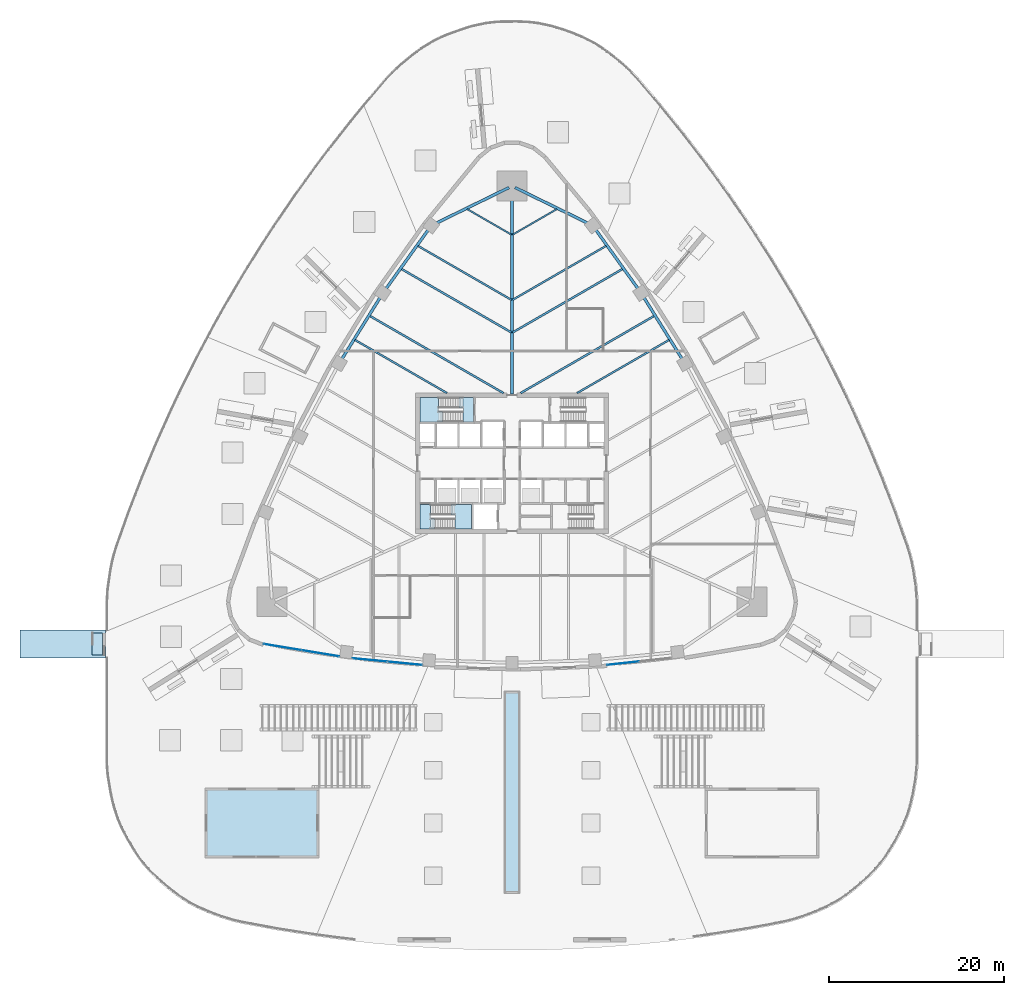
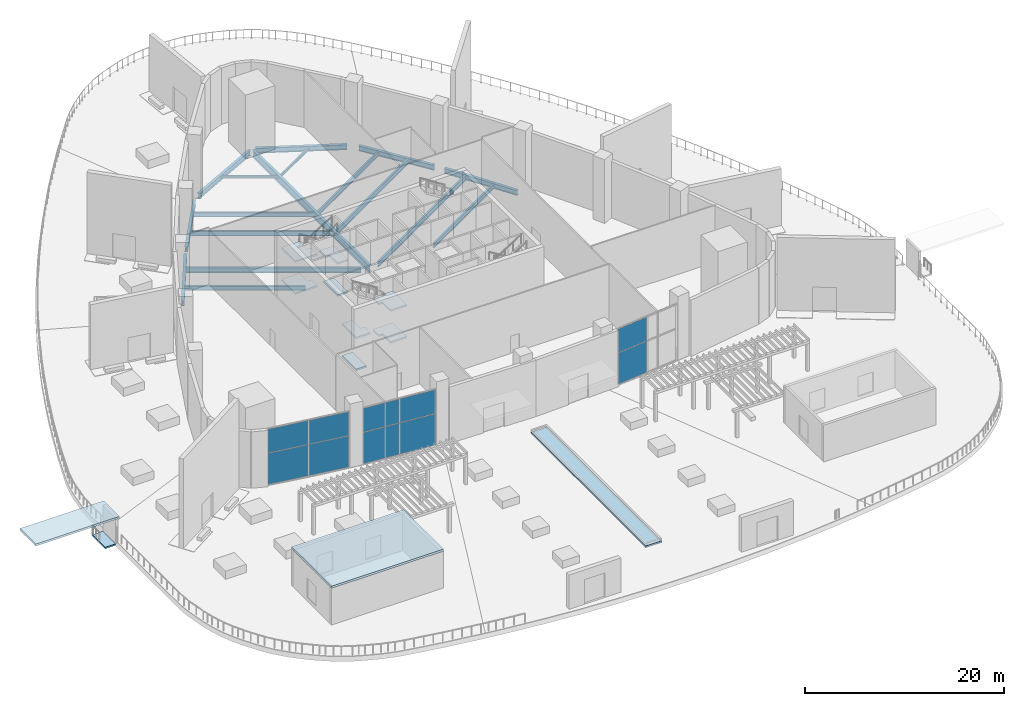
# One storey, part 6 of 20: 17 beams, 12 slabs, 10 plates, 5 elements without a shape of their own.
"""IFC4 building model written with IfcOpenShell, lengths in metres."""

import ifcopenshell
import ifcopenshell.guid

model = None  # the IFC model being written
_history = None  # IfcOwnerHistory: only IFC2X3 demands one
_inside = {}  # id of a spatial element -> (the spatial element, [elements in it])
_under = {}  # id of a project, library or spatial element -> (it, [spatial elements below it])
_declared = {}  # id of a project -> (the project, [libraries it declares])
_typed = {}  # id of a type object -> (the type object, [elements of that type])
_made_of = {}  # id of a material, layer set ... -> (it, [elements and type objects made of it])


def new_model(schema):
    """Start an empty IFC model of exactly this schema.

    Asked for "IFC4X3", IfcOpenShell would pick the latest addendum, in which some entities
    have other attributes; the version numbers below select the first issue.
    IFC2X3 requires an IfcOwnerHistory on every rooted entity: one is made here for all.
    """
    global model, _history
    if schema == "IFC4X3":
        model = ifcopenshell.file(schema_version=(4, 3, 0, 0))
    else:
        model = ifcopenshell.file(schema=schema)
    _inside.clear()
    _under.clear()
    _declared.clear()
    _typed.clear()
    _made_of.clear()
    _history = None
    if model.schema == "IFC2X3":
        org = make("IfcOrganization", Name="unknown")
        user = make(
            "IfcPersonAndOrganization",
            ThePerson=make("IfcPerson", FamilyName="unknown"),
            TheOrganization=org,
        )
        app = make(
            "IfcApplication",
            ApplicationDeveloper=org,
            Version="unknown",
            ApplicationFullName="unknown",
            ApplicationIdentifier="unknown",
        )
        _history = make(
            "IfcOwnerHistory",
            OwningUser=user,
            OwningApplication=app,
            ChangeAction="ADDED",
            CreationDate=0,
        )
    return model


def make(cls, **values):
    """One entity of the class cls with the attributes given. An attribute that is None is left unset."""
    return model.create_entity(
        cls, **{name: value for name, value in values.items() if value is not None}
    )


def rooted(cls, **values):
    """An entity with a GlobalId (a new one), such as an element, a storey or a relation."""
    return make(cls, GlobalId=ifcopenshell.guid.new(), OwnerHistory=_history, **values)


def si_unit(unit_type, name, prefix=None):
    """IfcSIUnit, for example si_unit("LENGTHUNIT", "METRE", prefix="MILLI")."""
    return make("IfcSIUnit", UnitType=unit_type, Prefix=prefix, Name=name)


def assignment(units):
    """IfcUnitAssignment: the units of a project."""
    return None if units is None else make("IfcUnitAssignment", Units=units)


def point(xyz):
    """IfcCartesianPoint."""
    return None if xyz is None else make("IfcCartesianPoint", Coordinates=xyz)


def direction(xyz):
    """IfcDirection."""
    return None if xyz is None else make("IfcDirection", DirectionRatios=xyz)


def frame(location, z_axis=None, x_axis=None):
    """IfcAxis2Placement3D, a coordinate frame: its origin and axes. An axis left out is left unset."""
    return make(
        "IfcAxis2Placement3D",
        Location=point(location),
        Axis=direction(z_axis),
        RefDirection=direction(x_axis),
    )


def frame_2d(location, x_axis=None):
    """IfcAxis2Placement2D, a coordinate frame in the plane: its origin and x axis."""
    return make(
        "IfcAxis2Placement2D", Location=point(location), RefDirection=direction(x_axis)
    )


def origin():
    """The frame at (0, 0, 0) with its axes left unset."""
    return frame((0.0, 0.0, 0.0))


def origin_2d():
    """The frame at (0, 0) in the plane with its x axis left unset."""
    return frame_2d((0.0, 0.0))


def place(relative_to, where):
    """IfcLocalPlacement: puts the frame where relative to a parent placement (None: the world)."""
    return make(
        "IfcLocalPlacement", PlacementRelTo=relative_to, RelativePlacement=where
    )


def context(
    kind, dimensions, precision=None, world=None, true_north=None, identifier=None
):
    """IfcGeometricRepresentationContext, for example the 3D "Model" context."""
    return make(
        "IfcGeometricRepresentationContext",
        ContextIdentifier=identifier,
        ContextType=kind,
        CoordinateSpaceDimension=dimensions,
        Precision=precision,
        WorldCoordinateSystem=world,
        TrueNorth=true_north,
    )


def subcontext(parent, identifier, kind, view, scale=None):
    """IfcGeometricRepresentationSubContext, for example "Body" below "Model"."""
    return make(
        "IfcGeometricRepresentationSubContext",
        ContextIdentifier=identifier,
        ContextType=kind,
        ParentContext=parent,
        TargetScale=scale,
        TargetView=view,
    )


def project(units=None, contexts=None):
    """IfcProject with its units and contexts."""
    return rooted(
        "IfcProject",
        Name="project",
        RepresentationContexts=contexts,
        UnitsInContext=assignment(units),
    )


def spatial(cls, under=None, at=None, **own):
    """A site, building, storey or space (cls), placed at a placement, below another one or the project."""
    s = rooted(cls, ObjectPlacement=at, **own)
    if under is not None:
        _under.setdefault(under.id(), (under, []))[1].append(s)
    return s


def polyline(points):
    """IfcPolyline through the points."""
    return make("IfcPolyline", Points=[point(p) for p in points])


def profile(cls, at=None, kind="AREA", **sizes):
    """A parametric profile (cls). Its sizes go by their IFC names, for example OverallWidth=200.0."""
    return make(cls, ProfileType=kind, Position=at, **sizes)


def rectangle(**sizes):
    """IfcRectangleProfileDef."""
    return profile("IfcRectangleProfileDef", **sizes)


def i_section(**sizes):
    """IfcIShapeProfileDef."""
    return profile("IfcIShapeProfileDef", **sizes)


def outline(outer, holes=None, kind="AREA"):
    """IfcArbitraryClosedProfileDef: a profile drawn as a closed curve; with holes, ...WithVoids."""
    if holes is None:
        return make("IfcArbitraryClosedProfileDef", ProfileType=kind, OuterCurve=outer)
    return make(
        "IfcArbitraryProfileDefWithVoids",
        ProfileType=kind,
        OuterCurve=outer,
        InnerCurves=holes,
    )


def extrude(swept, where, along, depth):
    """IfcExtrudedAreaSolid: the profile swept, set in the frame where, extruded along a direction by depth."""
    return make(
        "IfcExtrudedAreaSolid",
        SweptArea=swept,
        Position=where,
        ExtrudedDirection=direction(along),
        Depth=depth,
    )


def shape(context_of_items, identifier, shape_type, items):
    """IfcShapeRepresentation: the items that make up one representation, for example the "Body"."""
    return make(
        "IfcShapeRepresentation",
        ContextOfItems=context_of_items,
        RepresentationIdentifier=identifier,
        RepresentationType=shape_type,
        Items=items,
    )


def material(Name=None, Category=None):
    """IfcMaterial."""
    return make("IfcMaterial", Name=Name, Category=Category)


def layer(
    of_material, thickness, ventilated=None, Name=None, Category=None, Priority=None
):
    """IfcMaterialLayer: one layer of a wall or slab, of a material (None: an air gap)."""
    return make(
        "IfcMaterialLayer",
        Material=of_material,
        LayerThickness=thickness,
        IsVentilated=ventilated,
        Name=Name,
        Category=Category,
        Priority=Priority,
    )


def layer_set(layers, Name=None):
    """IfcMaterialLayerSet."""
    return make("IfcMaterialLayerSet", MaterialLayers=layers, LayerSetName=Name)


def material_profile(
    of_material, cross_section, Name=None, Category=None, Priority=None
):
    """IfcMaterialProfile: a cross section and its material."""
    return make(
        "IfcMaterialProfile",
        Name=Name,
        Material=of_material,
        Profile=cross_section,
        Priority=Priority,
        Category=Category,
    )


def profile_set(profiles, Name=None, composite=None):
    """IfcMaterialProfileSet."""
    return make(
        "IfcMaterialProfileSet",
        Name=Name,
        MaterialProfiles=profiles,
        CompositeProfile=composite,
    )


def made_of(thing, what):
    """Note that an element or type object is made of a material, layer set ...; save() writes the relation."""
    if what is not None:
        _made_of.setdefault(what.id(), (what, []))[1].append(thing)
    return thing


def type_object(cls, material=None, **own):
    """A type object (cls), such as IfcWallType, which elements share."""
    return made_of(rooted(cls, **own), material)


def element(
    cls,
    number,
    at=None,
    inside=None,
    cuts=None,
    type_object=None,
    material=None,
    context=None,
    identifier="Body",
    shape_type=None,
    held_by="IfcProductDefinitionShape",
    body=None,
    shapes=None,
    **own,
):
    """One element of the class cls, such as IfcWall. Its Tag is "e" and its number.

    at: its placement. inside: the storey or other place that contains it. cuts: it is an
    opening in that element (IfcRelVoidsElement). A single representation is given by context,
    identifier, shape_type and body (its items); several are given by shapes. held_by: the class
    of the entity that holds the representations. save() writes the other relations.
    """
    e = rooted(cls, Tag="e%d" % number, ObjectPlacement=at, **own)
    if body is not None:
        shapes = [shape(context, identifier, shape_type, body)]
    if shapes is not None:
        e.Representation = make(held_by, Representations=shapes)
    if inside is not None:
        _inside.setdefault(inside.id(), (inside, []))[1].append(e)
    if cuts is not None:
        rooted(
            "IfcRelVoidsElement", RelatingBuildingElement=cuts, RelatedOpeningElement=e
        )
    if type_object is not None:
        _typed.setdefault(type_object.id(), (type_object, []))[1].append(e)
    return made_of(e, material)


def aggregate(whole, parts):
    """IfcRelAggregates: a whole, such as a stair, and the parts it consists of."""
    return rooted("IfcRelAggregates", RelatingObject=whole, RelatedObjects=parts)


def save(model, path):
    """Write the relations noted so far, then the file.

    IfcRelAggregates (storeys below a building ...), IfcRelContainedInSpatialStructure (elements
    in a storey), IfcRelDefinesByType, IfcRelAssociatesMaterial and IfcRelDeclares: one each for
    every whole, place, type object, material and project.
    """
    for whole, parts in _under.values():
        aggregate(whole, parts)
    for where, things in _inside.values():
        rooted(
            "IfcRelContainedInSpatialStructure",
            RelatedElements=things,
            RelatingStructure=where,
        )
    for kind, things in _typed.values():
        rooted("IfcRelDefinesByType", RelatedObjects=things, RelatingType=kind)
    for what, things in _made_of.values():
        rooted("IfcRelAssociatesMaterial", RelatedObjects=things, RelatingMaterial=what)
    for by, libraries in _declared.values():
        rooted("IfcRelDeclares", RelatingContext=by, RelatedDefinitions=libraries)
    model.write(path)


model = new_model("IFC4")

# Units and contexts
model_context = context("Model", 3, precision=1e-05, world=origin(), true_north=direction((0.0, 1.0)))
body_context = subcontext(model_context, "Body", "Model", "MODEL_VIEW")
ifc_project = project(units=[si_unit("LENGTHUNIT", "METRE"), si_unit("AREAUNIT", "SQUARE_METRE"), si_unit("VOLUMEUNIT", "CUBIC_METRE"), si_unit("PLANEANGLEUNIT", "RADIAN"), si_unit("MASSUNIT", "GRAM", prefix="KILO")], contexts=[model_context])

# Site, building, storey
site_placement = place(None, origin())
site = spatial("IfcSite", under=ifc_project, at=site_placement, CompositionType="ELEMENT")
building_placement = place(site_placement, origin())
building = spatial("IfcBuilding", under=site, at=building_placement, Name="Sierra Prisma Convention Tower", CompositionType="ELEMENT")
storey_placement = place(building_placement, frame((0.0, 0.0, 9.0)))
storey = spatial("IfcBuildingStorey", under=building, at=storey_placement, Name="L01", CompositionType="ELEMENT", Elevation=9.0)

# Beams
ifc_material_1 = material(Name="Steel ASTM A992 Gr 50", Category="steel")
ifc_material_profile_1 = material_profile(ifc_material_1, i_section(OverallWidth=0.172119140625, OverallDepth=0.35791015625, WebThickness=0.0078125, FlangeThickness=0.01318359375, at=origin_2d()), Name="W360x57")
ifc_profile_set_1 = profile_set([ifc_material_profile_1], Name="Steel ASTM A992 Gr 50")
beam_type_1 = type_object("IfcBeamType", Name="Floor joist W360x57", PredefinedType="JOIST", material=ifc_profile_set_1)
for number, where, z_axis, x_axis, name in (
    (1, (5.099609375, 28.95703125, -0.428955078125), (-0.866024171998, -0.500002133511, 0.0), (0.500002133511, -0.866024171998, 0.0), "Floor joist L01 NE16"),
    (2, (-5.099609375, 28.95703125, -0.428955078125), (0.866024171998, -0.500002133511, 0.0), (0.500002133511, 0.866024171998, 0.0), "Floor joist L01 NW02"),
):
    element("IfcBeam", number, at=place(storey_placement, frame(where, z_axis=z_axis, x_axis=x_axis)), inside=storey, type_object=beam_type_1, Name=name, PredefinedType="JOIST", context=body_context, shape_type="SweptSolid", body=[
        extrude(i_section(OverallWidth=0.172119140625, OverallDepth=0.35791015625, WebThickness=0.0078125, FlangeThickness=0.01318359375, at=origin_2d()), origin(), (0.0, 0.0, 1.0), 5.818359375),
    ])
ifc_material_2 = material(Name="Steel ASTM A992 Gr 50", Category="steel")
ifc_material_profile_2 = material_profile(ifc_material_2, i_section(OverallWidth=0.208984375, OverallDepth=0.532958984375, WebThickness=0.01025390625, FlangeThickness=0.015625, at=origin_2d()), Name="W530x92")
ifc_profile_set_2 = profile_set([ifc_material_profile_2], Name="Steel ASTM A992 Gr 50")
beam_type_2 = type_object("IfcBeamType", Name="Floor joist W530x92", PredefinedType="JOIST", material=ifc_profile_set_2)
beam_1_placement = place(storey_placement, frame((17.90380859375, 14.052978515625, -0.5166015625), z_axis=(-0.866021694642, -0.500006424369, 0.0), x_axis=(0.500006424369, -0.866021694642, 0.0)))
element("IfcBeam", 3, at=beam_1_placement, inside=storey, type_object=beam_type_2, Name="Floor joist L01 NE10", PredefinedType="JOIST", context=body_context, shape_type="SweptSolid", body=[
    extrude(i_section(OverallWidth=0.208984375, OverallDepth=0.532958984375, WebThickness=0.01025390625, FlangeThickness=0.015625, at=origin_2d()), origin(), (0.0, 0.0, 1.0), 12.105712890625),
])
for number, where, z_axis, x_axis, name in (
    (4, (10.72021484375, 24.769775390625, -0.5166015625), (-0.866031330991, -0.499989733636, 0.0), (0.499989733636, -0.866031330991, 0.0), "Floor joist L01 NE14"),
    (5, (-10.72021484375, 24.769775390625, -0.5166015625), (0.866031330991, -0.499989733636, 0.0), (0.499989733636, 0.866031330991, 0.0), "Floor joist L01 NW04"),
):
    element("IfcBeam", number, at=place(storey_placement, frame(where, z_axis=z_axis, x_axis=x_axis)), inside=storey, type_object=beam_type_2, Name=name, PredefinedType="JOIST", context=body_context, shape_type="SweptSolid", body=[
        extrude(i_section(OverallWidth=0.208984375, OverallDepth=0.532958984375, WebThickness=0.01025390625, FlangeThickness=0.015625, at=origin_2d()), origin(), (0.0, 0.0, 1.0), 12.308349609375),
    ])
beam_2_placement = place(storey_placement, frame((-17.90380859375, 14.052978515625, -0.5166015625), z_axis=(0.866021694642, -0.500006424369, 0.0), x_axis=(0.500006424369, 0.866021694642, 0.0)))
element("IfcBeam", 6, at=beam_2_placement, inside=storey, type_object=beam_type_2, Name="Floor joist L01 NW08", PredefinedType="JOIST", context=body_context, shape_type="SweptSolid", body=[
    extrude(i_section(OverallWidth=0.208984375, OverallDepth=0.532958984375, WebThickness=0.01025390625, FlangeThickness=0.015625, at=origin_2d()), origin(), (0.0, 0.0, 1.0), 12.105712890625),
])
ifc_material_3 = material(Name="Steel ASTM A992 Gr 50", Category="steel")
ifc_material_profile_3 = material_profile(ifc_material_3, i_section(OverallWidth=0.22802734375, OverallDepth=0.60302734375, WebThickness=0.010498046875, FlangeThickness=0.014892578125, at=origin_2d()), Name="W610x101")
ifc_profile_set_3 = profile_set([ifc_material_profile_3], Name="Steel ASTM A992 Gr 50")
beam_type_3 = type_object("IfcBeamType", Name="Floor joist W610x101", PredefinedType="JOIST", material=ifc_profile_set_3)
beam_3_placement = place(storey_placement, frame((16.203125, 16.787109375, -0.551513671875), z_axis=(-0.866025498715, -0.499999835575, 0.0), x_axis=(0.499999835575, -0.866025498715, 0.0)))
element("IfcBeam", 7, at=beam_3_placement, inside=storey, type_object=beam_type_3, Name="Floor joist L01 NE11", PredefinedType="JOIST", context=body_context, shape_type="SweptSolid", body=[
    extrude(i_section(OverallWidth=0.22802734375, OverallDepth=0.60302734375, WebThickness=0.010498046875, FlangeThickness=0.014892578125, at=origin_2d()), origin(), (0.0, 0.0, 1.0), 17.57421875),
])
for number, where, z_axis, x_axis, name in (
    (8, (12.60498046875, 22.14208984375, -0.551513671875), (-0.866024193569, -0.500002096149, 0.0), (0.500002096149, -0.866024193569, 0.0), "Floor joist L01 NE13"),
    (9, (-12.60498046875, 22.14208984375, -0.551513671875), (0.866024193569, -0.500002096149, 0.0), (0.500002096149, 0.866024193569, 0.0), "Floor joist L01 NW05"),
):
    element("IfcBeam", number, at=place(storey_placement, frame(where, z_axis=z_axis, x_axis=x_axis)), inside=storey, type_object=beam_type_3, Name=name, PredefinedType="JOIST", context=body_context, shape_type="SweptSolid", body=[
        extrude(i_section(OverallWidth=0.22802734375, OverallDepth=0.60302734375, WebThickness=0.010498046875, FlangeThickness=0.014892578125, at=origin_2d()), origin(), (0.0, 0.0, 1.0), 14.48486328125),
    ])
beam_4_placement = place(storey_placement, frame((-16.203125, 16.787109375, -0.551513671875), z_axis=(0.866025498715, -0.499999835575, 0.0), x_axis=(0.499999835575, 0.866025498715, 0.0)))
element("IfcBeam", 10, at=beam_4_placement, inside=storey, type_object=beam_type_3, Name="Floor joist L01 NW07", PredefinedType="JOIST", context=body_context, shape_type="SweptSolid", body=[
    extrude(i_section(OverallWidth=0.22802734375, OverallDepth=0.60302734375, WebThickness=0.010498046875, FlangeThickness=0.014892578125, at=origin_2d()), origin(), (0.0, 0.0, 1.0), 17.57421875),
])
ifc_material_4 = material(Name="Steel ASTM A992 Gr 50", Category="steel")
ifc_material_profile_4 = material_profile(ifc_material_4, i_section(OverallWidth=0.303955078125, OverallDepth=0.903076171875, WebThickness=0.01513671875, FlangeThickness=0.02001953125, at=origin_2d()), Name="W920x201")
ifc_profile_set_4 = profile_set([ifc_material_profile_4], Name="Steel ASTM A992 Gr 50")
beam_type_4 = type_object("IfcBeamType", Name="Radial girder W920x201", PredefinedType="BEAM", material=ifc_profile_set_4)
beam_5_placement = place(storey_placement, frame((0.0, 31.2470703125, -0.701416015625), z_axis=(0.0, -1.0, 0.0), x_axis=(1.0, 0.0, 0.0)))
element("IfcBeam", 11, at=beam_5_placement, inside=storey, type_object=beam_type_4, Name="Radial girder L01 N", PredefinedType="BEAM", context=body_context, shape_type="SweptSolid", body=[
    extrude(i_section(OverallWidth=0.303955078125, OverallDepth=0.903076171875, WebThickness=0.01513671875, FlangeThickness=0.02001953125, at=origin_2d()), origin(), (0.0, 0.0, 1.0), 23.3671875),
])
ifc_material_5 = material(Name="Steel ASTM A992 Gr 50", Category="steel")
ifc_material_profile_5 = material_profile(ifc_material_5, i_section(OverallWidth=0.324951171875, OverallDepth=0.615966796875, WebThickness=0.013916015625, FlangeThickness=0.021484375, at=origin_2d()), Name="W610x174")
ifc_profile_set_5 = profile_set([ifc_material_profile_5], Name="Steel ASTM A992 Gr 50")
beam_type_5 = type_object("IfcBeamType", Name="Spandrel beam W610x174", PredefinedType="BEAM", material=ifc_profile_set_5)
beam_6_placement = place(storey_placement, frame((19.3955078125, 11.867919921875, -0.55810546875), z_axis=(-0.528185415417, 0.849129063771, 0.0), x_axis=(-0.849129063771, -0.528185415417, 0.0)))
element("IfcBeam", 12, at=beam_6_placement, inside=storey, type_object=beam_type_5, Name="Spandrel L01-10", PredefinedType="BEAM", context=body_context, shape_type="SweptSolid", body=[
    extrude(i_section(OverallWidth=0.324951171875, OverallDepth=0.615966796875, WebThickness=0.013916015625, FlangeThickness=0.021484375, at=origin_2d()), origin(), (0.0, 0.0, 1.0), 8.294677734375),
])
beam_7_placement = place(storey_placement, frame((14.36962890625, 19.87548828125, -0.55810546875), z_axis=(-0.582854647492, 0.812576433265, 0.0), x_axis=(-0.812576433265, -0.582854647492, 0.0)))
element("IfcBeam", 13, at=beam_7_placement, inside=storey, type_object=beam_type_5, Name="Spandrel L01-11", PredefinedType="BEAM", context=body_context, shape_type="SweptSolid", body=[
    extrude(i_section(OverallWidth=0.324951171875, OverallDepth=0.615966796875, WebThickness=0.013916015625, FlangeThickness=0.021484375, at=origin_2d()), origin(), (0.0, 0.0, 1.0), 8.294921875),
])
for number, where, z_axis, x_axis, name in (
    (14, (8.6025390625, 27.3779296875, -0.55810546875), (-0.89824258339, 0.439500012952, 0.0), (-0.439500012952, -0.89824258339, 0.0), "Spandrel L01-12"),
    (15, (-0.340087890625, 31.420654296875, -0.55810546875), (-0.89824258339, -0.439500012952, 0.0), (0.439500012952, -0.89824258339, 0.0), "Spandrel L01-13"),
):
    element("IfcBeam", number, at=place(storey_placement, frame(where, z_axis=z_axis, x_axis=x_axis)), inside=storey, type_object=beam_type_5, Name=name, PredefinedType="BEAM", context=body_context, shape_type="SweptSolid", body=[
        extrude(i_section(OverallWidth=0.324951171875, OverallDepth=0.615966796875, WebThickness=0.013916015625, FlangeThickness=0.021484375, at=origin_2d()), origin(), (0.0, 0.0, 1.0), 9.198486328125),
    ])
beam_8_placement = place(storey_placement, frame((-9.534912109375, 26.61572265625, -0.55810546875), z_axis=(-0.582854647492, -0.812576433265, 0.0), x_axis=(0.812576433265, -0.582854647492, 0.0)))
element("IfcBeam", 16, at=beam_8_placement, inside=storey, type_object=beam_type_5, Name="Spandrel L01-14", PredefinedType="BEAM", context=body_context, shape_type="SweptSolid", body=[
    extrude(i_section(OverallWidth=0.324951171875, OverallDepth=0.615966796875, WebThickness=0.013916015625, FlangeThickness=0.021484375, at=origin_2d()), origin(), (0.0, 0.0, 1.0), 8.294921875),
])
beam_9_placement = place(storey_placement, frame((-15.014404296875, 18.9111328125, -0.55810546875), z_axis=(-0.528185415417, -0.849129063771, 0.0), x_axis=(0.849129063771, -0.528185415417, 0.0)))
element("IfcBeam", 17, at=beam_9_placement, inside=storey, type_object=beam_type_5, Name="Spandrel L01-15", PredefinedType="BEAM", context=body_context, shape_type="SweptSolid", body=[
    extrude(i_section(OverallWidth=0.324951171875, OverallDepth=0.615966796875, WebThickness=0.013916015625, FlangeThickness=0.021484375, at=origin_2d()), origin(), (0.0, 0.0, 1.0), 8.294677734375),
])

# Curtain wall, plates
ifc_material_6 = material(Name="Aluminium, bronze anodised", Category="aluminium")
ifc_layer_1 = layer(ifc_material_6, 0.199951171875)
ifc_layer_set_1 = layer_set([ifc_layer_1], Name="CW-3 curtain wall")
curtain_wall_type = type_object("IfcCurtainWallType", Name="CW-3 curtain wall", PredefinedType="NOTDEFINED", material=ifc_layer_set_1)
curtain_wall_1_placement = place(storey_placement, origin())
curtain_wall_1 = element("IfcCurtainWall", 18, at=curtain_wall_1_placement, inside=storey, type_object=curtain_wall_type, Name="CW-3 curtain wall", PredefinedType="NOTDEFINED")
ifc_material_7 = material(Name="Tinted laminated glass", Category="glass")
ifc_layer_2 = layer(ifc_material_7, 0.028076171875)
ifc_layer_set_2 = layer_set([ifc_layer_2], Name="CW-3 panel 28 mm")
plate_type = type_object("IfcPlateType", Name="CW-3 panel 28 mm", PredefinedType="CURTAIN_PANEL", material=ifc_layer_set_2)
plate_1_placement = place(storey_placement, frame((-21.8408203125, -21.664794921875, 0.06005859375), z_axis=(0.0, 0.0, 1.0), x_axis=(-0.986701699891, 0.162541549863, 0.0)))
plate_1 = element("IfcPlate", 19, at=plate_1_placement, type_object=plate_type, Name="CW-3 panel 1.1", PredefinedType="CURTAIN_PANEL", context=body_context, shape_type="SweptSolid", body=[
    extrude(rectangle(XDim=4.302734375, YDim=0.028076171875, at=origin_2d()), origin(), (0.0, 0.0, 1.0), 3.81005859375),
])
plate_2_placement = place(storey_placement, frame((-21.8408203125, -21.664794921875, 3.93017578125), z_axis=(0.0, 0.0, 1.0), x_axis=(-0.986701699891, 0.162541549863, 0.0)))
plate_2 = element("IfcPlate", 20, at=plate_2_placement, type_object=plate_type, Name="CW-3 panel 1.2", PredefinedType="CURTAIN_PANEL", context=body_context, shape_type="SweptSolid", body=[
    extrude(rectangle(XDim=4.302734375, YDim=0.028076171875, at=origin_2d()), origin(), (0.0, 0.0, 1.0), 2.909912109375),
])
plate_3_placement = place(storey_placement, frame((-26.1455078125, -20.95556640625, 0.06005859375), z_axis=(0.0, 0.0, 1.0), x_axis=(-0.986701699891, 0.162541549863, 0.0)))
plate_3 = element("IfcPlate", 21, at=plate_3_placement, type_object=plate_type, Name="CW-3 panel 2.1", PredefinedType="CURTAIN_PANEL", context=body_context, shape_type="SweptSolid", body=[
    extrude(rectangle(XDim=4.302734375, YDim=0.028076171875, at=origin_2d()), origin(), (0.0, 0.0, 1.0), 3.81005859375),
])
plate_4_placement = place(storey_placement, frame((-26.1455078125, -20.95556640625, 3.93017578125), z_axis=(0.0, 0.0, 1.0), x_axis=(-0.986701699891, 0.162541549863, 0.0)))
plate_4 = element("IfcPlate", 22, at=plate_4_placement, type_object=plate_type, Name="CW-3 panel 2.2", PredefinedType="CURTAIN_PANEL", context=body_context, shape_type="SweptSolid", body=[
    extrude(rectangle(XDim=4.302734375, YDim=0.028076171875, at=origin_2d()), origin(), (0.0, 0.0, 1.0), 2.909912109375),
])
aggregate(curtain_wall_1, [plate_1, plate_2, plate_3, plate_4])

curtain_wall_2_placement = place(storey_placement, origin())
curtain_wall_2 = element("IfcCurtainWall", 23, at=curtain_wall_2_placement, inside=storey, type_object=curtain_wall_type, Name="CW-3 curtain wall", PredefinedType="NOTDEFINED")
plate_5_placement = place(storey_placement, frame((-12.22900390625, -22.8056640625, 0.06005859375), z_axis=(0.0, 0.0, 1.0), x_axis=(-0.99547012821, 0.095074832848, 0.0)))
plate_5 = element("IfcPlate", 24, at=plate_5_placement, type_object=plate_type, Name="CW-3 panel 1.1", PredefinedType="CURTAIN_PANEL", context=body_context, shape_type="SweptSolid", body=[
    extrude(rectangle(XDim=3.935791015625, YDim=0.028076171875, at=origin_2d()), origin(), (0.0, 0.0, 1.0), 3.81005859375),
])
plate_6_placement = place(storey_placement, frame((-12.22900390625, -22.8056640625, 3.93017578125), z_axis=(0.0, 0.0, 1.0), x_axis=(-0.99547012821, 0.095074832848, 0.0)))
plate_6 = element("IfcPlate", 25, at=plate_6_placement, type_object=plate_type, Name="CW-3 panel 1.2", PredefinedType="CURTAIN_PANEL", context=body_context, shape_type="SweptSolid", body=[
    extrude(rectangle(XDim=3.935791015625, YDim=0.028076171875, at=origin_2d()), origin(), (0.0, 0.0, 1.0), 2.909912109375),
])
plate_7_placement = place(storey_placement, frame((-16.20654296875, -22.42578125, 0.06005859375), z_axis=(0.0, 0.0, 1.0), x_axis=(-0.99547012821, 0.095074832848, 0.0)))
plate_7 = element("IfcPlate", 26, at=plate_7_placement, type_object=plate_type, Name="CW-3 panel 2.1", PredefinedType="CURTAIN_PANEL", context=body_context, shape_type="SweptSolid", body=[
    extrude(rectangle(XDim=3.935791015625, YDim=0.028076171875, at=origin_2d()), origin(), (0.0, 0.0, 1.0), 3.81005859375),
])
plate_8_placement = place(storey_placement, frame((-16.20654296875, -22.42578125, 3.93017578125), z_axis=(0.0, 0.0, 1.0), x_axis=(-0.99547012821, 0.095074832848, 0.0)))
plate_8 = element("IfcPlate", 27, at=plate_8_placement, type_object=plate_type, Name="CW-3 panel 2.2", PredefinedType="CURTAIN_PANEL", context=body_context, shape_type="SweptSolid", body=[
    extrude(rectangle(XDim=3.935791015625, YDim=0.028076171875, at=origin_2d()), origin(), (0.0, 0.0, 1.0), 2.909912109375),
])
aggregate(curtain_wall_2, [plate_5, plate_6, plate_7, plate_8])

curtain_wall_3_placement = place(storey_placement, origin())
curtain_wall_3 = element("IfcCurtainWall", 28, at=curtain_wall_3_placement, inside=storey, type_object=curtain_wall_type, Name="CW-3 curtain wall", PredefinedType="NOTDEFINED")
plate_9_placement = place(storey_placement, frame((12.64990234375, -22.793701171875, 0.06005859375), z_axis=(0.0, 0.0, 1.0), x_axis=(-0.994084801286, -0.10860666578, 0.0)))
plate_9 = element("IfcPlate", 29, at=plate_9_placement, type_object=plate_type, Name="CW-3 panel 2.1", PredefinedType="CURTAIN_PANEL", context=body_context, shape_type="SweptSolid", body=[
    extrude(rectangle(XDim=3.601806640625, YDim=0.028076171875, at=origin_2d()), origin(), (0.0, 0.0, 1.0), 3.81005859375),
])
plate_10_placement = place(storey_placement, frame((12.64990234375, -22.793701171875, 3.93017578125), z_axis=(0.0, 0.0, 1.0), x_axis=(-0.994084801286, -0.10860666578, 0.0)))
plate_10 = element("IfcPlate", 30, at=plate_10_placement, type_object=plate_type, Name="CW-3 panel 2.2", PredefinedType="CURTAIN_PANEL", context=body_context, shape_type="SweptSolid", body=[
    extrude(rectangle(XDim=3.601806640625, YDim=0.028076171875, at=origin_2d()), origin(), (0.0, 0.0, 1.0), 2.909912109375),
])
aggregate(curtain_wall_3, [plate_9, plate_10])

# Slabs
ifc_material_8 = material(Name="Concrete C35/45", Category="concrete")
ifc_layer_3 = layer(ifc_material_8, 0.25)
ifc_layer_set_3 = layer_set([ifc_layer_3], Name="Exit stair head roof 250")
slab_type_1 = type_object("IfcSlabType", Name="Exit stair head roof 250", PredefinedType="ROOF", material=ifc_layer_set_3)
slab_1_placement = place(storey_placement, frame((0.0, 0.0, 3.199951171875)))
element("IfcSlab", 31, at=slab_1_placement, inside=storey, type_object=slab_type_1, Name="Exit stair west head roof", PredefinedType="ROOF", context=body_context, shape_type="SweptSolid", body=[
    extrude(outline(polyline([(-46.3544921875, -22.175048828125), (-46.3544921875, -19.02490234375), (-56.07470703125, -19.02490234375), (-56.07470703125, -22.175048828125), (-46.3544921875, -22.175048828125)])), origin(), (0.0, 0.0, 1.0), 0.25),
])
ifc_material_9 = material(Name="Concrete C35/45", Category="concrete")
ifc_layer_4 = layer(ifc_material_9, 0.25)
ifc_layer_set_4 = layer_set([ifc_layer_4], Name="Pavilion roof slab 250")
slab_type_2 = type_object("IfcSlabType", Name="Pavilion roof slab 250", PredefinedType="ROOF", material=ifc_layer_set_4)
slab_2_placement = place(storey_placement, frame((0.0, 0.0, 4.5)))
element("IfcSlab", 32, at=slab_2_placement, inside=storey, type_object=slab_type_2, Name="West welcome pavilion roof", PredefinedType="ROOF", context=body_context, shape_type="SweptSolid", body=[
    extrude(outline(polyline([(-35.0, -45.0), (-22.0, -45.0), (-22.0, -37.0), (-35.0, -37.0), (-35.0, -45.0)])), origin(), (0.0, 0.0, 1.0), 0.25),
])
ifc_material_10 = material(Name="Concrete C35/45", Category="concrete")
ifc_layer_5 = layer(ifc_material_10, 0.199951171875)
ifc_layer_set_5 = layer_set([ifc_layer_5], Name="Stair landing slab")
slab_type_3 = type_object("IfcSlabType", Name="Stair landing slab", PredefinedType="LANDING", material=ifc_layer_set_5)
slab_3_placement = place(storey_placement, frame((0.0, 0.0, -0.199951171875)))
element("IfcSlab", 33, at=slab_3_placement, inside=storey, type_object=slab_type_3, Name="EX1 floor landing L01", PredefinedType="LANDING", context=body_context, shape_type="SweptSolid", body=[
    extrude(outline(polyline([(-46.654541015625, -19.324951171875), (-47.856689453125, -19.324951171875), (-47.856689453125, -21.875), (-46.654541015625, -21.875), (-46.654541015625, -19.324951171875)])), origin(), (0.0, 0.0, 1.0), 0.199951171875),
])

# Stair, slabs
ifc_material_11 = material(Name="Concrete C30/37", Category="concrete")
stair_type = type_object("IfcStairType", Name="Stair dog-leg 1200 RC", PredefinedType="HALF_TURN_STAIR", material=ifc_material_11)
stair_1_placement = place(storey_placement, origin())
stair_1 = element("IfcStair", 34, at=stair_1_placement, inside=storey, type_object=stair_type, Name="L01 S1", PredefinedType="HALF_TURN_STAIR")
slab_4_placement = place(storey_placement, frame((0.0, 0.0, 1.75)))
slab_4 = element("IfcSlab", 35, at=slab_4_placement, type_object=slab_type_3, Name="S1 landing 1", PredefinedType="LANDING", context=body_context, shape_type="SweptSolid", body=[
    extrude(outline(polyline([(-4.60009765625, -4.699951171875), (-4.60009765625, -7.5), (-6.501953125, -7.5), (-6.501953125, -5.89990234375), (-6.949951171875, -5.89990234375), (-6.949951171875, -4.699951171875), (-4.60009765625, -4.699951171875)])), origin(), (0.0, 0.0, 1.0), 0.199951171875),
])
slab_5_placement = place(storey_placement, frame((0.0, 0.0, 3.699951171875)))
slab_5 = element("IfcSlab", 36, at=slab_5_placement, type_object=slab_type_3, Name="S1 landing 2", PredefinedType="LANDING", context=body_context, shape_type="SweptSolid", body=[
    extrude(outline(polyline([(-10.5, -7.5), (-10.5, -4.699951171875), (-9.298095703125, -4.699951171875), (-9.298095703125, -6.300048828125), (-8.85009765625, -6.300048828125), (-8.85009765625, -7.5), (-10.5, -7.5)])), origin(), (0.0, 0.0, 1.0), 0.199951171875),
])
slab_6_placement = place(storey_placement, frame((0.0, 0.0, 5.64990234375)))
slab_6 = element("IfcSlab", 37, at=slab_6_placement, type_object=slab_type_3, Name="S1 landing 3", PredefinedType="LANDING", context=body_context, shape_type="SweptSolid", body=[
    extrude(outline(polyline([(-4.60009765625, -4.699951171875), (-4.60009765625, -7.5), (-6.501953125, -7.5), (-6.501953125, -5.89990234375), (-6.949951171875, -5.89990234375), (-6.949951171875, -4.699951171875), (-4.60009765625, -4.699951171875)])), origin(), (0.0, 0.0, 1.0), 0.2001953125),
])
aggregate(stair_1, [slab_4, slab_5, slab_6])

# Slab
slab_7_placement = place(storey_placement, frame((0.0, 0.0, -0.199951171875)))
element("IfcSlab", 38, at=slab_7_placement, inside=storey, type_object=slab_type_3, Name="S1 floor landing L01", PredefinedType="LANDING", context=body_context, shape_type="SweptSolid", body=[
    extrude(outline(polyline([(-10.5, -7.5), (-9.298095703125, -7.5), (-9.298095703125, -4.699951171875), (-10.5, -4.699951171875), (-10.5, -7.5)])), origin(), (0.0, 0.0, 1.0), 0.199951171875),
])

# Stair, slabs
stair_2_placement = place(storey_placement, origin())
stair_2 = element("IfcStair", 39, at=stair_2_placement, inside=storey, type_object=stair_type, Name="L01 S3", PredefinedType="HALF_TURN_STAIR")
slab_8_placement = place(storey_placement, frame((0.0, 0.0, 1.75)))
slab_8 = element("IfcSlab", 40, at=slab_8_placement, type_object=slab_type_3, Name="S3 landing 1", PredefinedType="LANDING", context=body_context, shape_type="SweptSolid", body=[
    extrude(outline(polyline([(-7.949951171875, 5.89990234375), (-7.949951171875, 4.699951171875), (-10.5, 4.699951171875), (-10.5, 7.5), (-8.39794921875, 7.5), (-8.39794921875, 5.89990234375), (-7.949951171875, 5.89990234375)])), origin(), (0.0, 0.0, 1.0), 0.199951171875),
])
slab_9_placement = place(storey_placement, frame((0.0, 0.0, 3.699951171875)))
slab_9 = element("IfcSlab", 41, at=slab_9_placement, type_object=slab_type_3, Name="S3 landing 2", PredefinedType="LANDING", context=body_context, shape_type="SweptSolid", body=[
    extrude(outline(polyline([(-4.39990234375, 7.5), (-4.39990234375, 4.699951171875), (-5.60205078125, 4.699951171875), (-5.60205078125, 6.300048828125), (-6.050048828125, 6.300048828125), (-6.050048828125, 7.5), (-4.39990234375, 7.5)])), origin(), (0.0, 0.0, 1.0), 0.199951171875),
])
slab_10_placement = place(storey_placement, frame((0.0, 0.0, 5.64990234375)))
slab_10 = element("IfcSlab", 42, at=slab_10_placement, type_object=slab_type_3, Name="S3 landing 3", PredefinedType="LANDING", context=body_context, shape_type="SweptSolid", body=[
    extrude(outline(polyline([(-7.949951171875, 5.89990234375), (-7.949951171875, 4.699951171875), (-10.5, 4.699951171875), (-10.5, 7.5), (-8.39794921875, 7.5), (-8.39794921875, 5.89990234375), (-7.949951171875, 5.89990234375)])), origin(), (0.0, 0.0, 1.0), 0.2001953125),
])
aggregate(stair_2, [slab_8, slab_9, slab_10])

# Slabs
slab_11_placement = place(storey_placement, frame((0.0, 0.0, -0.199951171875)))
element("IfcSlab", 43, at=slab_11_placement, inside=storey, type_object=slab_type_3, Name="S3 floor landing L01", PredefinedType="LANDING", context=body_context, shape_type="SweptSolid", body=[
    extrude(outline(polyline([(-4.39990234375, 7.5), (-5.60205078125, 7.5), (-5.60205078125, 4.699951171875), (-4.39990234375, 4.699951171875), (-4.39990234375, 7.5)])), origin(), (0.0, 0.0, 1.0), 0.199951171875),
])
ifc_material_12 = material(Name="Concrete C30/37", Category="concrete")
ifc_layer_6 = layer(ifc_material_12, 0.239990234375)
ifc_layer_set_6 = layer_set([ifc_layer_6], Name="Water mirror basin slab 240")
slab_type_4 = type_object("IfcSlabType", Name="Water mirror basin slab 240", PredefinedType="FLOOR", material=ifc_layer_set_6)
slab_12_placement = place(storey_placement, frame((0.0, 0.0, -0.06005859375)))
element("IfcSlab", 44, at=slab_12_placement, inside=storey, type_object=slab_type_4, Name="Water mirror basin 1", PredefinedType="FLOOR", context=body_context, shape_type="SweptSolid", body=[
    extrude(outline(polyline([(0.89990234375, -49.0), (0.89990234375, -26.0), (-0.89990234375, -26.0), (-0.89990234375, -49.0), (0.89990234375, -49.0)])), origin(), (0.0, 0.0, 1.0), 0.239990234375),
])

save(model, "model.ifc")
